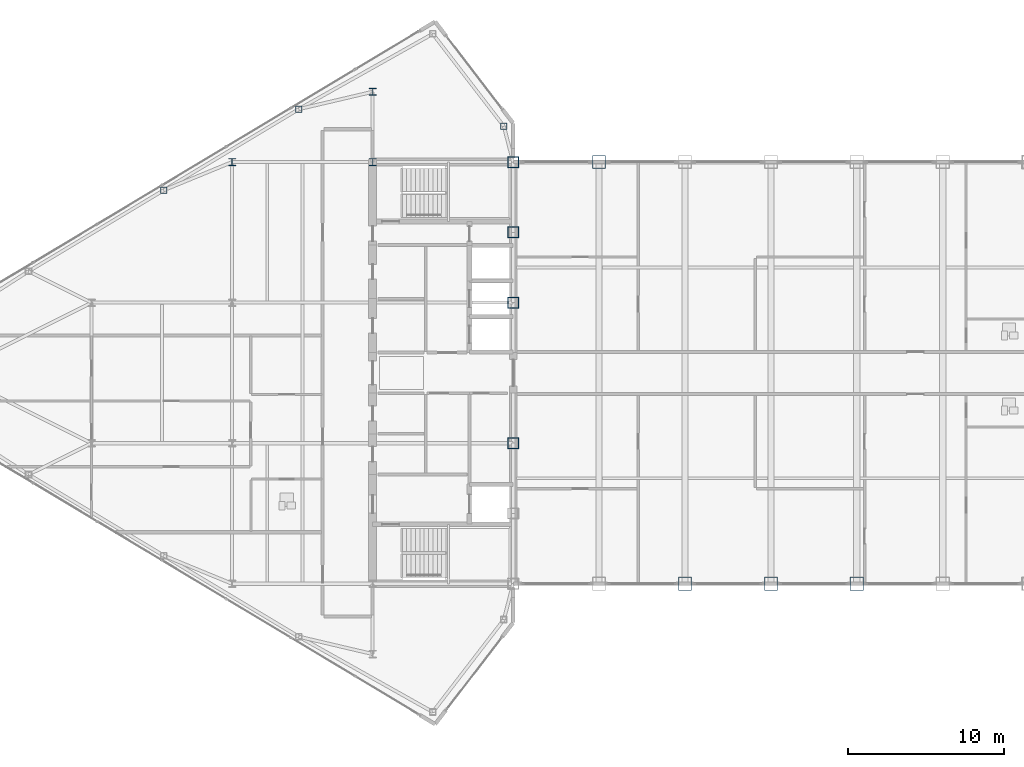
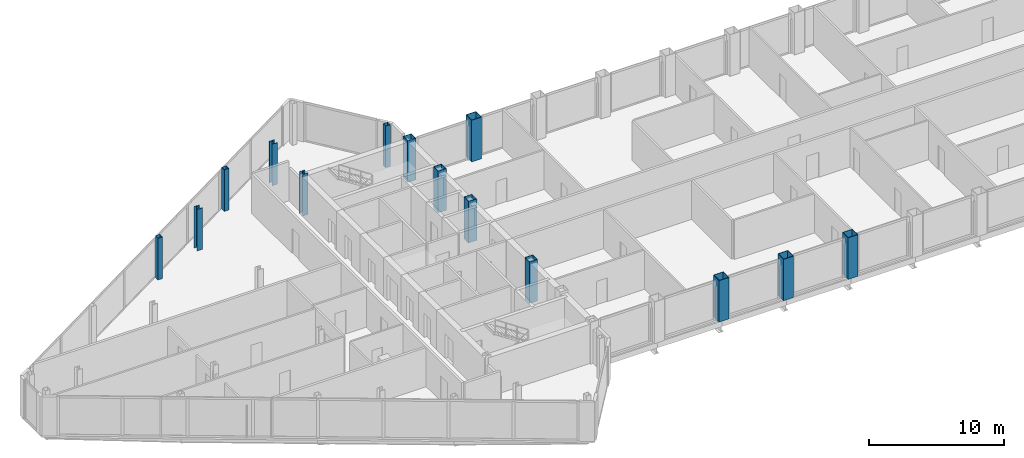
# One storey, part 2 of 29: 14 columns.
"""IFC4 building model written with IfcOpenShell, lengths in metres."""

from ifc_helpers import new_model, si_unit, direction, frame, origin, origin_2d, place, context, subcontext, project, spatial, hollow_rectangle, i_section, extrude, source, transform, mapped, material, material_profile, profile_set, type_object, type_shapes, element, save


model = new_model("IFC4")

# Units and contexts
model_context = context("Model", 3, precision=1e-05, world=origin(), true_north=direction((0.0, 1.0)))
body_context = subcontext(model_context, "Body", "Model", "MODEL_VIEW")
ifc_project = project(units=[si_unit("LENGTHUNIT", "METRE"), si_unit("AREAUNIT", "SQUARE_METRE"), si_unit("VOLUMEUNIT", "CUBIC_METRE"), si_unit("PLANEANGLEUNIT", "RADIAN"), si_unit("MASSUNIT", "GRAM", prefix="KILO")], contexts=[model_context])

# Site, building, storey
site_placement = place(None, origin())
site = spatial("IfcSite", under=ifc_project, at=site_placement, CompositionType="ELEMENT")
building_placement = place(site_placement, origin())
building = spatial("IfcBuilding", under=site, at=building_placement, Name="Seokmaru Belvedere", CompositionType="ELEMENT")
storey_placement = place(building_placement, frame((0.0, 0.0, 254.39990234375)))
storey = spatial("IfcBuildingStorey", under=building, at=storey_placement, Name="L67", CompositionType="ELEMENT", Elevation=254.39990234375)

# Columns
ifc_material_1 = material(Name="Steel SM355 (355 MPa)", Category="steel")
ifc_material_profile_1 = material_profile(ifc_material_1, hollow_rectangle(XDim=0.699951171875, YDim=0.699951171875, WallThickness=0.030029296875, at=origin_2d()), Name="BOX-700x700x30")
ifc_profile_set_1 = profile_set([ifc_material_profile_1], Name="Steel SM355 (355 MPa)")
column_type_1 = type_object("IfcColumnType", Name="Upper Spine Column BOX-700", PredefinedType="COLUMN", material=ifc_profile_set_1)
shared_shape_1 = source(origin(), body_context, "Body", "SweptSolid", [
    extrude(hollow_rectangle(XDim=0.699951171875, YDim=0.699951171875, WallThickness=0.030029296875, at=origin_2d()), origin(), (0.0, 0.0, 1.0), 3.75),
])
type_shapes(column_type_1, [shared_shape_1])
for number, where, z_axis, x_axis, name in (
    (1, (-27.5, -4.5, 0.0), (0.0, 0.0, 1.0), (1.0, 0.0, 0.0), "L67 Column WS3"),
    (2, (-27.5, 4.5, 0.0), (0.0, 0.0, 1.0), (1.0, 0.0, 0.0), "L67 Column WS4"),
    (3, (-27.5, 9.0, 0.0), (0.0, 0.0, 1.0), (1.0, 0.0, 0.0), "L67 Column WS5"),
    (4, (-27.5, 13.5, 0.0), (0.0, 0.0, 1.0), (1.0, 0.0, 0.0), "L67 Column WS6"),
):
    element("IfcColumn", number, at=place(storey_placement, frame(where, z_axis=z_axis, x_axis=x_axis)), inside=storey, type_object=column_type_1, Name=name, PredefinedType="COLUMN", context=body_context, shape_type="MappedRepresentation", body=[
        mapped(shared_shape_1, transform((0.0, 0.0, 0.0), scale=1.0)),
    ])
ifc_material_profile_2 = material_profile(ifc_material_1, i_section(OverallWidth=0.449951171875, OverallDepth=0.449951171875, WebThickness=0.01611328125, FlangeThickness=0.02490234375, at=origin_2d()), Name="H-450x450x16x25")
ifc_profile_set_2 = profile_set([ifc_material_profile_2], Name="Steel SM355 (355 MPa)")
column_type_2 = type_object("IfcColumnType", Name="Sky-Gate Column H-450", PredefinedType="COLUMN", material=ifc_profile_set_2)
shared_shape_2 = source(origin(), body_context, "Body", "SweptSolid", [
    extrude(i_section(OverallWidth=0.449951171875, OverallDepth=0.449951171875, WebThickness=0.01611328125, FlangeThickness=0.02490234375, at=origin_2d()), origin(), (0.0, 0.0, 1.0), 3.75),
])
type_shapes(column_type_2, [shared_shape_2])
for number, where, z_axis, x_axis, name in (
    (5, (-36.5, 13.5, 0.0), (0.0, 0.0, 1.0), (1.0, 0.0, 0.0), "L67 Column WC3"),
    (6, (-36.5, 18.0, 0.0), (0.0, 0.0, 1.0), (1.0, 0.0, 0.0), "L67 Column WC4"),
    (7, (-45.5, 13.5, 0.0), (0.0, 0.0, 1.0), (1.0, 0.0, 0.0), "L67 Column WG5_4"),
):
    element("IfcColumn", number, at=place(storey_placement, frame(where, z_axis=z_axis, x_axis=x_axis)), inside=storey, type_object=column_type_2, Name=name, PredefinedType="COLUMN", context=body_context, shape_type="MappedRepresentation", body=[
        mapped(shared_shape_2, transform((0.0, 0.0, 0.0), scale=1.0)),
    ])
ifc_material_profile_3 = material_profile(ifc_material_1, hollow_rectangle(XDim=0.39990234375, YDim=0.39990234375, WallThickness=0.01611328125, at=origin_2d()), Name="HSS-400x400x16")
ifc_profile_set_3 = profile_set([ifc_material_profile_3], Name="Steel SM355 (355 MPa)")
column_type_3 = type_object("IfcColumnType", Name="Perimeter Facet Column HSS-400", PredefinedType="COLUMN", material=ifc_profile_set_3)
shared_shape_3 = source(origin(), body_context, "Body", "SweptSolid", [
    extrude(hollow_rectangle(XDim=0.39990234375, YDim=0.39990234375, WallThickness=0.01611328125, at=origin_2d()), origin(), (0.0, 0.0, 1.0), 3.75),
])
type_shapes(column_type_3, [shared_shape_3])
for number, where, z_axis, x_axis, name in (
    (8, (-28.10009765625, 15.7958984375, 0.0), (0.0, 0.0, 1.0), (1.0, 0.0, 0.0), "L67 Column WF2"),
    (9, (-41.229736328125, 16.888916015625, 0.0), (0.0, 0.0, 1.0), (1.0, 0.0, 0.0), "L67 Column WFLK_N1"),
    (10, (-49.8798828125, 11.698974609375, 0.0), (0.0, 0.0, 1.0), (1.0, 0.0, 0.0), "L67 Column WFLK_N2"),
):
    element("IfcColumn", number, at=place(storey_placement, frame(where, z_axis=z_axis, x_axis=x_axis)), inside=storey, type_object=column_type_3, Name=name, PredefinedType="COLUMN", context=body_context, shape_type="MappedRepresentation", body=[
        mapped(shared_shape_3, transform((0.0, 0.0, 0.0), scale=1.0)),
    ])
ifc_material_2 = material(Name="Steel HSA650 (650 MPa)", Category="steel")
ifc_material_profile_4 = material_profile(ifc_material_2, hollow_rectangle(XDim=0.85009765625, YDim=0.85009765625, WallThickness=0.035888671875, at=origin_2d()), Name="BOX-850x850x36")
ifc_profile_set_4 = profile_set([ifc_material_profile_4], Name="Steel HSA650 (650 MPa)")
column_type_4 = type_object("IfcColumnType", Name="Portal Spine Column BOX-850", PredefinedType="COLUMN", material=ifc_profile_set_4)
shared_shape_4 = source(origin(), body_context, "Body", "SweptSolid", [
    extrude(hollow_rectangle(XDim=0.85009765625, YDim=0.85009765625, WallThickness=0.035888671875, at=origin_2d()), origin(), (0.0, 0.0, 1.0), 3.75),
])
type_shapes(column_type_4, [shared_shape_4])
for number, where, z_axis, x_axis, name in (
    (11, (-22.0, 13.5, 0.0), (0.0, 0.0, 1.0), (1.0, 0.0, 0.0), "L67 Column BRN_1"),
    (12, (-16.5, -13.5, 0.0), (0.0, 0.0, 1.0), (1.0, 0.0, 0.0), "L67 Column BRS_2"),
    (13, (-11.0, -13.5, 0.0), (0.0, 0.0, 1.0), (1.0, 0.0, 0.0), "L67 Column BRS_3"),
    (14, (-5.5, -13.5, 0.0), (0.0, 0.0, 1.0), (1.0, 0.0, 0.0), "L67 Column BRS_4"),
):
    element("IfcColumn", number, at=place(storey_placement, frame(where, z_axis=z_axis, x_axis=x_axis)), inside=storey, type_object=column_type_4, Name=name, PredefinedType="COLUMN", context=body_context, shape_type="MappedRepresentation", body=[
        mapped(shared_shape_4, transform((0.0, 0.0, 0.0), scale=1.0)),
    ])

save(model, "model.ifc")
